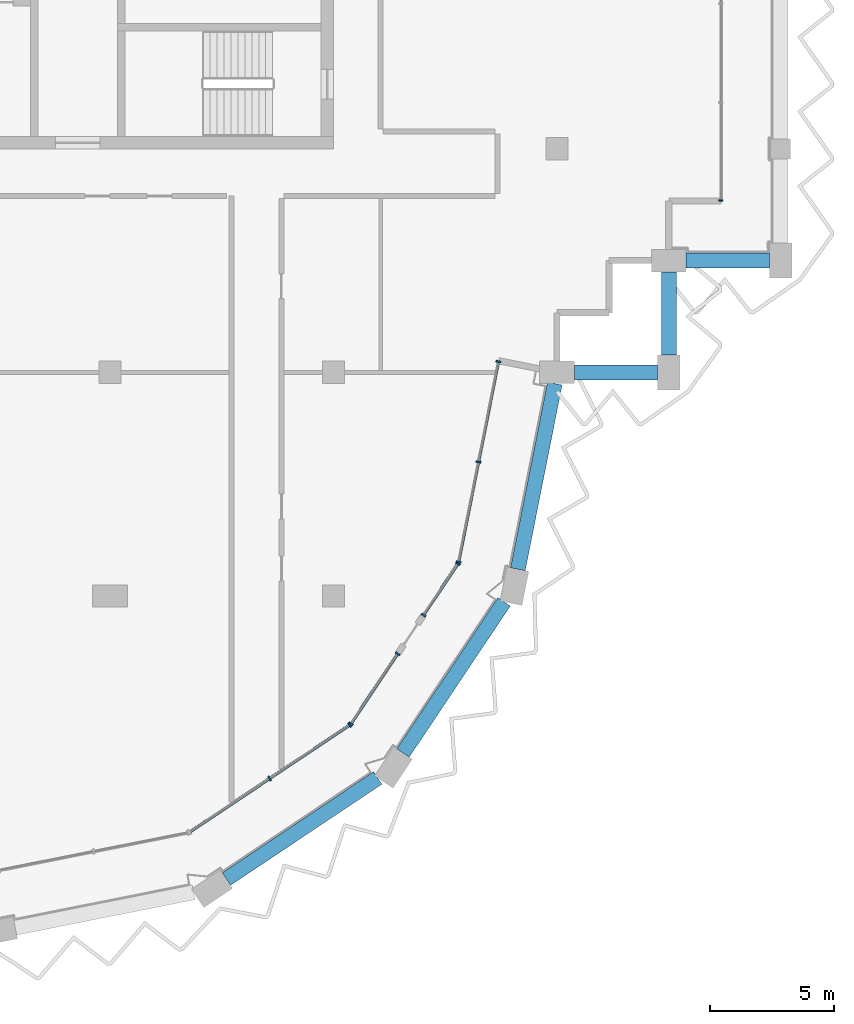
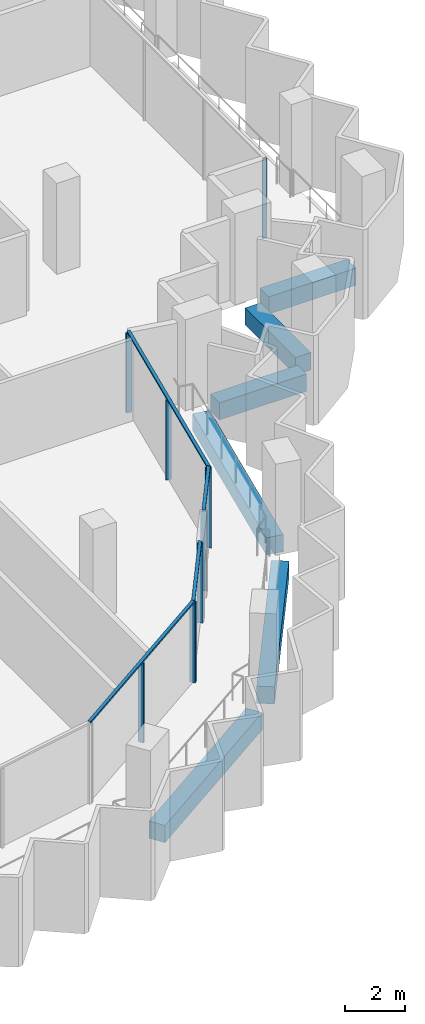
# One storey, part 3 of 14: 14 members, 6 beams, 5 elements without a shape of their own.
"""IFC4 building model written with IfcOpenShell, lengths in metres."""

import ifcopenshell
import ifcopenshell.guid

model = None  # the IFC model being written
_history = None  # IfcOwnerHistory: only IFC2X3 demands one
_inside = {}  # id of a spatial element -> (the spatial element, [elements in it])
_under = {}  # id of a project, library or spatial element -> (it, [spatial elements below it])
_declared = {}  # id of a project -> (the project, [libraries it declares])
_typed = {}  # id of a type object -> (the type object, [elements of that type])
_made_of = {}  # id of a material, layer set ... -> (it, [elements and type objects made of it])


def new_model(schema):
    """Start an empty IFC model of exactly this schema.

    Asked for "IFC4X3", IfcOpenShell would pick the latest addendum, in which some entities
    have other attributes; the version numbers below select the first issue.
    IFC2X3 requires an IfcOwnerHistory on every rooted entity: one is made here for all.
    """
    global model, _history
    if schema == "IFC4X3":
        model = ifcopenshell.file(schema_version=(4, 3, 0, 0))
    else:
        model = ifcopenshell.file(schema=schema)
    _inside.clear()
    _under.clear()
    _declared.clear()
    _typed.clear()
    _made_of.clear()
    _history = None
    if model.schema == "IFC2X3":
        org = make("IfcOrganization", Name="unknown")
        user = make(
            "IfcPersonAndOrganization",
            ThePerson=make("IfcPerson", FamilyName="unknown"),
            TheOrganization=org,
        )
        app = make(
            "IfcApplication",
            ApplicationDeveloper=org,
            Version="unknown",
            ApplicationFullName="unknown",
            ApplicationIdentifier="unknown",
        )
        _history = make(
            "IfcOwnerHistory",
            OwningUser=user,
            OwningApplication=app,
            ChangeAction="ADDED",
            CreationDate=0,
        )
    return model


def make(cls, **values):
    """One entity of the class cls with the attributes given. An attribute that is None is left unset."""
    return model.create_entity(
        cls, **{name: value for name, value in values.items() if value is not None}
    )


def rooted(cls, **values):
    """An entity with a GlobalId (a new one), such as an element, a storey or a relation."""
    return make(cls, GlobalId=ifcopenshell.guid.new(), OwnerHistory=_history, **values)


def si_unit(unit_type, name, prefix=None):
    """IfcSIUnit, for example si_unit("LENGTHUNIT", "METRE", prefix="MILLI")."""
    return make("IfcSIUnit", UnitType=unit_type, Prefix=prefix, Name=name)


def assignment(units):
    """IfcUnitAssignment: the units of a project."""
    return None if units is None else make("IfcUnitAssignment", Units=units)


def point(xyz):
    """IfcCartesianPoint."""
    return None if xyz is None else make("IfcCartesianPoint", Coordinates=xyz)


def direction(xyz):
    """IfcDirection."""
    return None if xyz is None else make("IfcDirection", DirectionRatios=xyz)


def frame(location, z_axis=None, x_axis=None):
    """IfcAxis2Placement3D, a coordinate frame: its origin and axes. An axis left out is left unset."""
    return make(
        "IfcAxis2Placement3D",
        Location=point(location),
        Axis=direction(z_axis),
        RefDirection=direction(x_axis),
    )


def frame_2d(location, x_axis=None):
    """IfcAxis2Placement2D, a coordinate frame in the plane: its origin and x axis."""
    return make(
        "IfcAxis2Placement2D", Location=point(location), RefDirection=direction(x_axis)
    )


def origin():
    """The frame at (0, 0, 0) with its axes left unset."""
    return frame((0.0, 0.0, 0.0))


def origin_2d():
    """The frame at (0, 0) in the plane with its x axis left unset."""
    return frame_2d((0.0, 0.0))


def place(relative_to, where):
    """IfcLocalPlacement: puts the frame where relative to a parent placement (None: the world)."""
    return make(
        "IfcLocalPlacement", PlacementRelTo=relative_to, RelativePlacement=where
    )


def context(
    kind, dimensions, precision=None, world=None, true_north=None, identifier=None
):
    """IfcGeometricRepresentationContext, for example the 3D "Model" context."""
    return make(
        "IfcGeometricRepresentationContext",
        ContextIdentifier=identifier,
        ContextType=kind,
        CoordinateSpaceDimension=dimensions,
        Precision=precision,
        WorldCoordinateSystem=world,
        TrueNorth=true_north,
    )


def subcontext(parent, identifier, kind, view, scale=None):
    """IfcGeometricRepresentationSubContext, for example "Body" below "Model"."""
    return make(
        "IfcGeometricRepresentationSubContext",
        ContextIdentifier=identifier,
        ContextType=kind,
        ParentContext=parent,
        TargetScale=scale,
        TargetView=view,
    )


def project(units=None, contexts=None):
    """IfcProject with its units and contexts."""
    return rooted(
        "IfcProject",
        Name="project",
        RepresentationContexts=contexts,
        UnitsInContext=assignment(units),
    )


def spatial(cls, under=None, at=None, **own):
    """A site, building, storey or space (cls), placed at a placement, below another one or the project."""
    s = rooted(cls, ObjectPlacement=at, **own)
    if under is not None:
        _under.setdefault(under.id(), (under, []))[1].append(s)
    return s


def profile(cls, at=None, kind="AREA", **sizes):
    """A parametric profile (cls). Its sizes go by their IFC names, for example OverallWidth=200.0."""
    return make(cls, ProfileType=kind, Position=at, **sizes)


def rectangle(**sizes):
    """IfcRectangleProfileDef."""
    return profile("IfcRectangleProfileDef", **sizes)


def extrude(swept, where, along, depth):
    """IfcExtrudedAreaSolid: the profile swept, set in the frame where, extruded along a direction by depth."""
    return make(
        "IfcExtrudedAreaSolid",
        SweptArea=swept,
        Position=where,
        ExtrudedDirection=direction(along),
        Depth=depth,
    )


def shape(context_of_items, identifier, shape_type, items):
    """IfcShapeRepresentation: the items that make up one representation, for example the "Body"."""
    return make(
        "IfcShapeRepresentation",
        ContextOfItems=context_of_items,
        RepresentationIdentifier=identifier,
        RepresentationType=shape_type,
        Items=items,
    )


def material(Name=None, Category=None):
    """IfcMaterial."""
    return make("IfcMaterial", Name=Name, Category=Category)


def material_profile(
    of_material, cross_section, Name=None, Category=None, Priority=None
):
    """IfcMaterialProfile: a cross section and its material."""
    return make(
        "IfcMaterialProfile",
        Name=Name,
        Material=of_material,
        Profile=cross_section,
        Priority=Priority,
        Category=Category,
    )


def profile_set(profiles, Name=None, composite=None):
    """IfcMaterialProfileSet."""
    return make(
        "IfcMaterialProfileSet",
        Name=Name,
        MaterialProfiles=profiles,
        CompositeProfile=composite,
    )


def made_of(thing, what):
    """Note that an element or type object is made of a material, layer set ...; save() writes the relation."""
    if what is not None:
        _made_of.setdefault(what.id(), (what, []))[1].append(thing)
    return thing


def type_object(cls, material=None, **own):
    """A type object (cls), such as IfcWallType, which elements share."""
    return made_of(rooted(cls, **own), material)


def element(
    cls,
    number,
    at=None,
    inside=None,
    cuts=None,
    type_object=None,
    material=None,
    context=None,
    identifier="Body",
    shape_type=None,
    held_by="IfcProductDefinitionShape",
    body=None,
    shapes=None,
    **own,
):
    """One element of the class cls, such as IfcWall. Its Tag is "e" and its number.

    at: its placement. inside: the storey or other place that contains it. cuts: it is an
    opening in that element (IfcRelVoidsElement). A single representation is given by context,
    identifier, shape_type and body (its items); several are given by shapes. held_by: the class
    of the entity that holds the representations. save() writes the other relations.
    """
    e = rooted(cls, Tag="e%d" % number, ObjectPlacement=at, **own)
    if body is not None:
        shapes = [shape(context, identifier, shape_type, body)]
    if shapes is not None:
        e.Representation = make(held_by, Representations=shapes)
    if inside is not None:
        _inside.setdefault(inside.id(), (inside, []))[1].append(e)
    if cuts is not None:
        rooted(
            "IfcRelVoidsElement", RelatingBuildingElement=cuts, RelatedOpeningElement=e
        )
    if type_object is not None:
        _typed.setdefault(type_object.id(), (type_object, []))[1].append(e)
    return made_of(e, material)


def aggregate(whole, parts):
    """IfcRelAggregates: a whole, such as a stair, and the parts it consists of."""
    return rooted("IfcRelAggregates", RelatingObject=whole, RelatedObjects=parts)


def save(model, path):
    """Write the relations noted so far, then the file.

    IfcRelAggregates (storeys below a building ...), IfcRelContainedInSpatialStructure (elements
    in a storey), IfcRelDefinesByType, IfcRelAssociatesMaterial and IfcRelDeclares: one each for
    every whole, place, type object, material and project.
    """
    for whole, parts in _under.values():
        aggregate(whole, parts)
    for where, things in _inside.values():
        rooted(
            "IfcRelContainedInSpatialStructure",
            RelatedElements=things,
            RelatingStructure=where,
        )
    for kind, things in _typed.values():
        rooted("IfcRelDefinesByType", RelatedObjects=things, RelatingType=kind)
    for what, things in _made_of.values():
        rooted("IfcRelAssociatesMaterial", RelatedObjects=things, RelatingMaterial=what)
    for by, libraries in _declared.values():
        rooted("IfcRelDeclares", RelatingContext=by, RelatedDefinitions=libraries)
    model.write(path)


model = new_model("IFC4")

# Units and contexts
model_context = context("Model", 3, precision=1e-05, world=origin(), true_north=direction((0.0, 1.0)))
body_context = subcontext(model_context, "Body", "Model", "MODEL_VIEW")
ifc_project = project(units=[si_unit("LENGTHUNIT", "METRE"), si_unit("AREAUNIT", "SQUARE_METRE"), si_unit("VOLUMEUNIT", "CUBIC_METRE"), si_unit("PLANEANGLEUNIT", "RADIAN"), si_unit("MASSUNIT", "GRAM", prefix="KILO")], contexts=[model_context])

# Site, building, storey
site_placement = place(None, origin())
site = spatial("IfcSite", under=ifc_project, at=site_placement, CompositionType="ELEMENT")
building_placement = place(site_placement, origin())
building = spatial("IfcBuilding", under=site, at=building_placement, Name="Hunhe Ridgeline Campus", CompositionType="ELEMENT")
storey_placement = place(building_placement, frame((0.0, 0.0, 295.60009765625)))
storey = spatial("IfcBuildingStorey", under=building, at=storey_placement, Name="L76", CompositionType="ELEMENT", Elevation=295.60009765625)

# Curtain wall, member
ifc_material_1 = material(Name="Aluminium 6063", Category="aluminium")
curtain_wall_type_1 = type_object("IfcCurtainWallType", Name="Curtain wall CW-1", PredefinedType="NOTDEFINED", material=ifc_material_1)
curtain_wall_1_placement = place(storey_placement, origin())
curtain_wall_1 = element("IfcCurtainWall", 1, at=curtain_wall_1_placement, inside=storey, type_object=curtain_wall_type_1, Name="Curtain wall 11", PredefinedType="NOTDEFINED")
ifc_material_profile_1 = material_profile(ifc_material_1, rectangle(XDim=0.159912109375, YDim=0.06005859375, at=origin_2d()))
ifc_profile_set_1 = profile_set([ifc_material_profile_1], Name="Aluminium 6063")
member_type_1 = type_object("IfcMemberType", Name="CW-1 aluminium mullion", PredefinedType="MULLION", material=ifc_profile_set_1)
member_1_placement = place(storey_placement, frame((51.59912109375, 60.930908203125, 0.0), z_axis=(0.0, 0.0, 1.0), x_axis=(-1.0, 0.0, 0.0)))
member_1 = element("IfcMember", 2, at=member_1_placement, type_object=member_type_1, Name="CW-1 mullion 1", PredefinedType="MULLION", context=body_context, shape_type="SweptSolid", body=[
    extrude(rectangle(XDim=0.159912109375, YDim=0.06005859375, at=origin_2d()), origin(), (0.0, 0.0, 1.0), 3.239990234375),
])
aggregate(curtain_wall_1, [member_1])

# Curtain wall, members
curtain_wall_type_2 = type_object("IfcCurtainWallType", Name="Curtain wall CW-5", PredefinedType="NOTDEFINED", material=ifc_material_1)
curtain_wall_2_placement = place(storey_placement, origin())
curtain_wall_2 = element("IfcCurtainWall", 3, at=curtain_wall_2_placement, inside=storey, type_object=curtain_wall_type_2, Name="Curtain wall 07", PredefinedType="NOTDEFINED")
ifc_material_profile_2 = material_profile(ifc_material_1, rectangle(XDim=0.199951171875, YDim=0.070068359375, at=origin_2d()))
ifc_profile_set_2 = profile_set([ifc_material_profile_2], Name="Aluminium 6063")
member_type_2 = type_object("IfcMemberType", Name="CW-5 aluminium mullion", PredefinedType="MULLION", material=ifc_profile_set_2)
member_2_placement = place(storey_placement, frame((33.42626953125, 37.647705078125, 0.0), z_axis=(0.0, 0.0, 1.0), x_axis=(-0.555570274596, 0.831469584522, 0.0)))
member_2 = element("IfcMember", 4, at=member_2_placement, type_object=member_type_2, Name="CW-5 mullion 2", PredefinedType="MULLION", context=body_context, shape_type="SweptSolid", body=[
    extrude(rectangle(XDim=0.199951171875, YDim=0.070068359375, at=origin_2d()), origin(), (0.0, 0.0, 1.0), 3.22998046875),
])
member_3_placement = place(storey_placement, frame((36.649658203125, 39.8017578125, 0.0), z_axis=(0.0, 0.0, 1.0), x_axis=(-0.555570274596, 0.831469584522, 0.0)))
member_3 = element("IfcMember", 5, at=member_3_placement, type_object=member_type_2, Name="CW-5 mullion 3", PredefinedType="MULLION", context=body_context, shape_type="SweptSolid", body=[
    extrude(rectangle(XDim=0.199951171875, YDim=0.070068359375, at=origin_2d()), origin(), (0.0, 0.0, 1.0), 3.22998046875),
])

curtain_wall_3_placement = place(storey_placement, origin())
curtain_wall_3 = element("IfcCurtainWall", 6, at=curtain_wall_3_placement, inside=storey, type_object=curtain_wall_type_2, Name="Curtain wall 08", PredefinedType="NOTDEFINED")
member_4_placement = place(storey_placement, frame((36.6982421875, 39.850341796875, 0.0), z_axis=(0.0, 0.0, 1.0), x_axis=(-0.831469595944, 0.555570257501, 0.0)))
member_4 = element("IfcMember", 7, at=member_4_placement, type_object=member_type_2, Name="CW-5 mullion 1", PredefinedType="MULLION", context=body_context, shape_type="SweptSolid", body=[
    extrude(rectangle(XDim=0.199951171875, YDim=0.070068359375, at=origin_2d()), origin(), (0.0, 0.0, 1.0), 3.22998046875),
])
member_5_placement = place(storey_placement, frame((38.582763671875, 42.67041015625, 0.0), z_axis=(0.0, 0.0, 1.0), x_axis=(-0.831469595944, 0.555570257501, 0.0)))
member_5 = element("IfcMember", 8, at=member_5_placement, type_object=member_type_2, Name="CW-5 mullion 2", PredefinedType="MULLION", context=body_context, shape_type="SweptSolid", body=[
    extrude(rectangle(XDim=0.199951171875, YDim=0.070068359375, at=origin_2d()), origin(), (0.0, 0.0, 1.0), 3.22998046875),
])

curtain_wall_4_placement = place(storey_placement, origin())
curtain_wall_4 = element("IfcCurtainWall", 9, at=curtain_wall_4_placement, inside=storey, type_object=curtain_wall_type_2, Name="Curtain wall 09", PredefinedType="NOTDEFINED")
member_6_placement = place(storey_placement, frame((39.62158203125, 44.225341796875, 0.0), z_axis=(0.0, 0.0, 1.0), x_axis=(-0.831469510353, 0.555570385598, 0.0)))
member_6 = element("IfcMember", 10, at=member_6_placement, type_object=member_type_2, Name="CW-5 mullion 1", PredefinedType="MULLION", context=body_context, shape_type="SweptSolid", body=[
    extrude(rectangle(XDim=0.199951171875, YDim=0.070068359375, at=origin_2d()), origin(), (0.0, 0.0, 1.0), 3.22998046875),
])
member_7_placement = place(storey_placement, frame((41.006103515625, 46.29736328125, 0.0), z_axis=(0.0, 0.0, 1.0), x_axis=(-0.831469510353, 0.555570385598, 0.0)))
member_7 = element("IfcMember", 11, at=member_7_placement, type_object=member_type_2, Name="CW-5 mullion 2", PredefinedType="MULLION", context=body_context, shape_type="SweptSolid", body=[
    extrude(rectangle(XDim=0.199951171875, YDim=0.070068359375, at=origin_2d()), origin(), (0.0, 0.0, 1.0), 3.22998046875),
])

curtain_wall_5_placement = place(storey_placement, origin())
curtain_wall_5 = element("IfcCurtainWall", 12, at=curtain_wall_5_placement, inside=storey, type_object=curtain_wall_type_2, Name="Curtain wall 10", PredefinedType="NOTDEFINED")
member_8_placement = place(storey_placement, frame((41.032470703125, 46.36083984375, 0.0), z_axis=(0.0, 0.0, 1.0), x_axis=(-0.980782515828, 0.19510421996, 0.0)))
member_8 = element("IfcMember", 13, at=member_8_placement, type_object=member_type_2, Name="CW-5 mullion 1", PredefinedType="MULLION", context=body_context, shape_type="SweptSolid", body=[
    extrude(rectangle(XDim=0.199951171875, YDim=0.070068359375, at=origin_2d()), origin(), (0.0, 0.0, 1.0), 3.22998046875),
])
member_9_placement = place(storey_placement, frame((41.83544921875, 50.397705078125, 0.0), z_axis=(0.0, 0.0, 1.0), x_axis=(-0.980782515828, 0.19510421996, 0.0)))
member_9 = element("IfcMember", 14, at=member_9_placement, type_object=member_type_2, Name="CW-5 mullion 2", PredefinedType="MULLION", context=body_context, shape_type="SweptSolid", body=[
    extrude(rectangle(XDim=0.199951171875, YDim=0.070068359375, at=origin_2d()), origin(), (0.0, 0.0, 1.0), 3.22998046875),
])
member_10_placement = place(storey_placement, frame((42.638427734375, 54.4345703125, 0.0), z_axis=(0.0, 0.0, 1.0), x_axis=(-0.980782515828, 0.19510421996, 0.0)))
member_10 = element("IfcMember", 15, at=member_10_placement, type_object=member_type_2, Name="CW-5 mullion 3", PredefinedType="MULLION", context=body_context, shape_type="SweptSolid", body=[
    extrude(rectangle(XDim=0.199951171875, YDim=0.070068359375, at=origin_2d()), origin(), (0.0, 0.0, 1.0), 3.22998046875),
])

# Member
ifc_material_profile_3 = material_profile(ifc_material_1, rectangle(XDim=0.1201171875, YDim=0.070068359375, at=origin_2d()))
ifc_profile_set_3 = profile_set([ifc_material_profile_3], Name="Aluminium 6063")
member_type_3 = type_object("IfcMemberType", Name="CW-5 aluminium transom", PredefinedType="USERDEFINED", material=ifc_profile_set_3)
member_11_placement = place(storey_placement, frame((30.173583984375, 35.474365234375, 3.264892578125), z_axis=(0.831473763475, 0.5555640203, 0.0), x_axis=(-0.5555640203, 0.831473763475, 0.0)))
member_11 = element("IfcMember", 16, at=member_11_placement, type_object=member_type_3, Name="CW-5 transom 1", ObjectType="TRANSOM", PredefinedType="USERDEFINED", context=body_context, shape_type="SweptSolid", body=[
    extrude(rectangle(XDim=0.1201171875, YDim=0.070068359375, at=origin_2d()), origin(), (0.0, 0.0, 1.0), 7.823974609375),
])

aggregate(curtain_wall_2, [member_11, member_2, member_3])

member_12_placement = place(storey_placement, frame((36.678955078125, 39.821044921875, 3.264892578125), z_axis=(0.555546133463, 0.831485714606, 0.0), x_axis=(-0.831485714606, 0.555546133463, 0.0)))
member_12 = element("IfcMember", 17, at=member_12_placement, type_object=member_type_3, Name="CW-5 transom 1", ObjectType="TRANSOM", PredefinedType="USERDEFINED", context=body_context, shape_type="SweptSolid", body=[
    extrude(rectangle(XDim=0.1201171875, YDim=0.070068359375, at=origin_2d()), origin(), (0.0, 0.0, 1.0), 3.462158203125),
])

aggregate(curtain_wall_3, [member_12, member_4, member_5])

member_13_placement = place(storey_placement, frame((39.602294921875, 44.1962890625, 3.264892578125), z_axis=(0.555579547735, 0.831463388334, 0.0), x_axis=(-0.831463388334, 0.555579547735, 0.0)))
member_13 = element("IfcMember", 18, at=member_13_placement, type_object=member_type_3, Name="CW-5 transom 1", ObjectType="TRANSOM", PredefinedType="USERDEFINED", context=body_context, shape_type="SweptSolid", body=[
    extrude(rectangle(XDim=0.1201171875, YDim=0.070068359375, at=origin_2d()), origin(), (0.0, 0.0, 1.0), 2.56201171875),
])

aggregate(curtain_wall_4, [member_13, member_6, member_7])

member_14_placement = place(storey_placement, frame((41.025634765625, 46.326416015625, 3.264892578125), z_axis=(0.195092405068, 0.980784866056, 0.0), x_axis=(-0.980784866056, 0.195092405068, 0.0)))
member_14 = element("IfcMember", 19, at=member_14_placement, type_object=member_type_3, Name="CW-5 transom 1", ObjectType="TRANSOM", PredefinedType="USERDEFINED", context=body_context, shape_type="SweptSolid", body=[
    extrude(rectangle(XDim=0.1201171875, YDim=0.070068359375, at=origin_2d()), origin(), (0.0, 0.0, 1.0), 8.3017578125),
])

aggregate(curtain_wall_5, [member_14, member_8, member_9, member_10])

# Beams
ifc_material_2 = material(Name="Concrete C50", Category="concrete")
ifc_material_profile_4 = material_profile(ifc_material_2, rectangle(XDim=0.60009765625, YDim=0.699951171875, at=origin_2d()))
ifc_profile_set_4 = profile_set([ifc_material_profile_4], Name="Concrete C50")
beam_type = type_object("IfcBeamType", Name="RC spandrel beam 600x700 Concrete C50", PredefinedType="SPANDREL", material=ifc_profile_set_4)
beam_1_placement = place(storey_placement, frame((31.6923828125, 33.6015625, -0.60009765625), z_axis=(0.831470141209, 0.555569441455, 0.0), x_axis=(-0.555569441455, 0.831470141209, 0.0)))
element("IfcBeam", 20, at=beam_1_placement, inside=storey, type_object=beam_type, Name="Spandrel beam B4-6 L76", PredefinedType="SPANDREL", context=body_context, shape_type="SweptSolid", body=[
    extrude(rectangle(XDim=0.60009765625, YDim=0.699951171875, at=origin_2d()), origin(), (0.0, 0.0, 1.0), 7.321533203125),
])
beam_2_placement = place(storey_placement, frame((38.798828125, 38.672119140625, -0.60009765625), z_axis=(0.555584845389, 0.831459848444, 0.0), x_axis=(-0.831459848444, 0.555584845389, 0.0)))
element("IfcBeam", 21, at=beam_2_placement, inside=storey, type_object=beam_type, Name="Spandrel beam B4-7 L76", PredefinedType="SPANDREL", context=body_context, shape_type="SweptSolid", body=[
    extrude(rectangle(XDim=0.60009765625, YDim=0.699951171875, at=origin_2d()), origin(), (0.0, 0.0, 1.0), 7.3212890625),
])
beam_3_placement = place(storey_placement, frame((43.423828125, 46.076171875, -0.60009765625), z_axis=(0.195080943744, 0.980787145811, 0.0), x_axis=(-0.980787145811, 0.195080943744, 0.0)))
element("IfcBeam", 22, at=beam_3_placement, inside=storey, type_object=beam_type, Name="Spandrel beam B4-8 L76", PredefinedType="SPANDREL", context=body_context, shape_type="SweptSolid", body=[
    extrude(rectangle(XDim=0.60009765625, YDim=0.699951171875, at=origin_2d()), origin(), (0.0, 0.0, 1.0), 7.620361328125),
])
for number, where, z_axis, x_axis, name in (
    (23, (45.699951171875, 54.0, -0.60009765625), (1.0, 0.0, 0.0), (0.0, 1.0, 0.0), "Spandrel beam B4-9 L76"),
    (24, (49.5, 54.699951171875, -0.60009765625), (0.0, 1.0, 0.0), (-1.0, 0.0, 0.0), "Spandrel beam B4-10 L76"),
    (25, (50.199951171875, 58.5, -0.60009765625), (1.0, 0.0, 0.0), (0.0, 1.0, 0.0), "Spandrel beam B4-11 L76"),
):
    element("IfcBeam", number, at=place(storey_placement, frame(where, z_axis=z_axis, x_axis=x_axis)), inside=storey, type_object=beam_type, Name=name, PredefinedType="SPANDREL", context=body_context, shape_type="SweptSolid", body=[
        extrude(rectangle(XDim=0.60009765625, YDim=0.699951171875, at=origin_2d()), origin(), (0.0, 0.0, 1.0), 3.35009765625),
    ])

save(model, "model.ifc")
